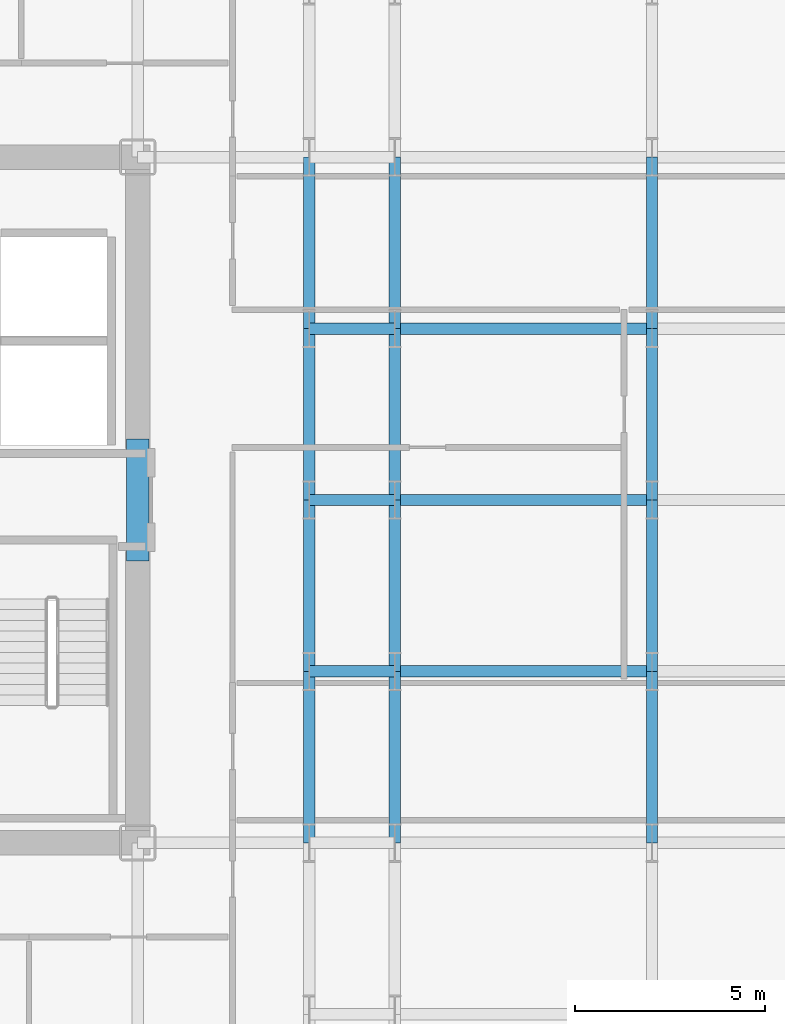
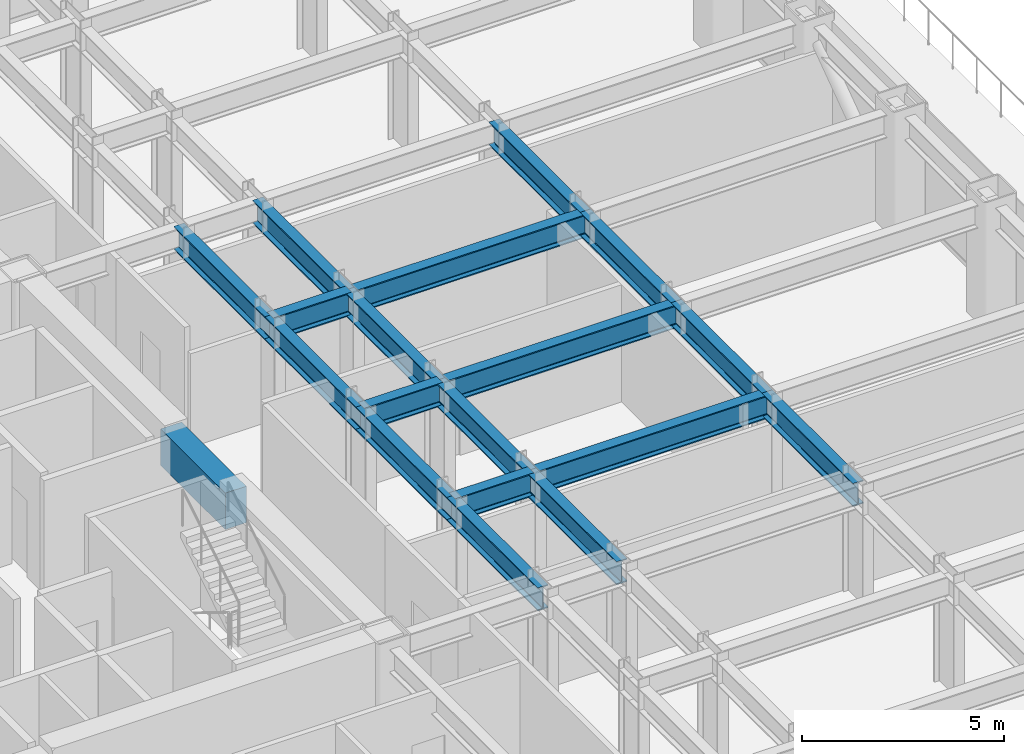
# One storey, part 10 of 30: 19 beams.
"""IFC4 building model written with IfcOpenShell, lengths in metres."""

from ifc_helpers import new_model, si_unit, direction, frame, origin, origin_2d, place, context, subcontext, project, spatial, rectangle, i_section, extrude, source, transform, mapped, material, material_profile, profile_set, type_object, element, save


model = new_model("IFC4")

# Units and contexts
model_context = context("Model", 3, precision=1e-05, world=origin(), true_north=direction((0.0, 1.0)))
body_context = subcontext(model_context, "Body", "Model", "MODEL_VIEW")
ifc_project = project(units=[si_unit("LENGTHUNIT", "METRE"), si_unit("AREAUNIT", "SQUARE_METRE"), si_unit("VOLUMEUNIT", "CUBIC_METRE"), si_unit("PLANEANGLEUNIT", "RADIAN"), si_unit("MASSUNIT", "GRAM", prefix="KILO")], contexts=[model_context])

# Site, building, storey
site_placement = place(None, origin())
site = spatial("IfcSite", under=ifc_project, at=site_placement, CompositionType="ELEMENT")
building_placement = place(site_placement, origin())
building = spatial("IfcBuilding", under=site, at=building_placement, Name="Nefas-Gora Pilgrimage Tower", CompositionType="ELEMENT")
storey_placement = place(building_placement, frame((0.0, 0.0, 33.0)))
storey = spatial("IfcBuildingStorey", under=building, at=storey_placement, Name="L06", CompositionType="ELEMENT", Elevation=33.0)

# Beams
ifc_material_1 = material(Name="Concrete C60/75", Category="concrete")
ifc_material_profile_1 = material_profile(ifc_material_1, rectangle(XDim=0.60009765625, YDim=1.10009765625, at=origin_2d()), Name="RC 600x1100")
ifc_profile_set_1 = profile_set([ifc_material_profile_1], Name="Concrete C60/75")
beam_type_1 = type_object("IfcBeamType", Name="BM-LIN-RC1100", PredefinedType="LINTEL", material=ifc_profile_set_1)
shared_shape_1 = source(origin(), body_context, "Body", "SweptSolid", [
    extrude(rectangle(XDim=0.60009765625, YDim=1.10009765625, at=origin_2d()), origin(), (0.0, 0.0, 1.0), 3.2001953125),
])
beam_placement = place(storey_placement, frame((11.25, -1.60009765625, 3.0), z_axis=(0.0, 1.0, 0.0), x_axis=(-1.0, 0.0, 0.0)))
element("IfcBeam", 1, at=beam_placement, inside=storey, type_object=beam_type_1, Name="L06 Core Coupling Lintel Beam E", PredefinedType="LINTEL", context=body_context, shape_type="MappedRepresentation", body=[
    mapped(shared_shape_1, transform((0.0, 0.0, 0.0), x_axis=(1.0, 0.0, 0.0), y_axis=(0.0, 1.0, 0.0), z_axis=(0.0, 0.0, 1.0), scale=1.0)),
])
ifc_material_2 = material(Name="Steel S355", Category="steel")
ifc_material_profile_2 = material_profile(ifc_material_2, i_section(OverallWidth=0.300048828125, OverallDepth=0.699951171875, WebThickness=0.01708984375, FlangeThickness=0.031982421875, FilletRadius=0.027099609375, at=origin_2d()), Name="HEB 700")
ifc_profile_set_2 = profile_set([ifc_material_profile_2], Name="Steel S355")
beam_type_2 = type_object("IfcBeamType", Name="BM-GIR-HEB700", PredefinedType="BEAM", material=ifc_profile_set_2)
shared_shape_2 = source(origin(), body_context, "Body", "SweptSolid", [
    extrude(i_section(OverallWidth=0.300048828125, OverallDepth=0.699951171875, WebThickness=0.01708984375, FlangeThickness=0.031982421875, FilletRadius=0.027099609375, at=origin_2d()), origin(), (0.0, 0.0, 1.0), 4.5),
])
for number, where, z_axis, x_axis, name in (
    (2, (15.75, -9.0, 3.199951171875), (0.0, 1.0, 0.0), (-1.0, 0.0, 0.0), "L06 G-02 beam"),
    (3, (15.75, -4.5, 3.199951171875), (0.0, 1.0, 0.0), (-1.0, 0.0, 0.0), "L06 G-02 beam"),
    (4, (15.75, 0.0, 3.199951171875), (0.0, 1.0, 0.0), (-1.0, 0.0, 0.0), "L06 G-02 beam"),
    (5, (15.75, 4.5, 3.199951171875), (0.0, 1.0, 0.0), (-1.0, 0.0, 0.0), "L06 G-02 beam"),
    (6, (18.0, -9.0, 3.199951171875), (0.0, 1.0, 0.0), (-1.0, 0.0, 0.0), "L06 G-02 beam"),
    (7, (18.0, -4.5, 3.199951171875), (0.0, 1.0, 0.0), (-1.0, 0.0, 0.0), "L06 G-02 beam"),
    (8, (18.0, 0.0, 3.199951171875), (0.0, 1.0, 0.0), (-1.0, 0.0, 0.0), "L06 G-02 beam"),
    (9, (18.0, 4.5, 3.199951171875), (0.0, 1.0, 0.0), (-1.0, 0.0, 0.0), "L06 G-02 beam"),
    (10, (24.75, -9.0, 3.199951171875), (0.0, 1.0, 0.0), (-1.0, 0.0, 0.0), "L06 G-02 beam"),
    (11, (24.75, -4.5, 3.199951171875), (0.0, 1.0, 0.0), (-1.0, 0.0, 0.0), "L06 G-02 beam"),
    (12, (24.75, 0.0, 3.199951171875), (0.0, 1.0, 0.0), (-1.0, 0.0, 0.0), "L06 G-02 beam"),
    (13, (24.75, 4.5, 3.199951171875), (0.0, 1.0, 0.0), (-1.0, 0.0, 0.0), "L06 G-02 beam"),
):
    element("IfcBeam", number, at=place(storey_placement, frame(where, z_axis=z_axis, x_axis=x_axis)), inside=storey, type_object=beam_type_2, Name=name, PredefinedType="BEAM", context=body_context, shape_type="MappedRepresentation", body=[
        mapped(shared_shape_2, transform((0.0, 0.0, 0.0), x_axis=(1.0, 0.0, 0.0), y_axis=(0.0, 1.0, 0.0), z_axis=(0.0, 0.0, 1.0), scale=1.0)),
    ])
shared_shape_3 = source(origin(), body_context, "Body", "SweptSolid", [
    extrude(i_section(OverallWidth=0.300048828125, OverallDepth=0.699951171875, WebThickness=0.01708984375, FlangeThickness=0.031982421875, FilletRadius=0.027099609375, at=origin_2d()), origin(), (0.0, 0.0, 1.0), 6.75),
])
for number, where, z_axis, x_axis, name in (
    (14, (18.0, -4.5, 3.199951171875), (1.0, 0.0, 0.0), (0.0, 1.0, 0.0), "L06 G-02 beam"),
    (15, (18.0, 0.0, 3.199951171875), (1.0, 0.0, 0.0), (0.0, 1.0, 0.0), "L06 G-02 beam"),
    (16, (18.0, 4.5, 3.199951171875), (1.0, 0.0, 0.0), (0.0, 1.0, 0.0), "L06 G-02 beam"),
):
    element("IfcBeam", number, at=place(storey_placement, frame(where, z_axis=z_axis, x_axis=x_axis)), inside=storey, type_object=beam_type_2, Name=name, PredefinedType="BEAM", context=body_context, shape_type="MappedRepresentation", body=[
        mapped(shared_shape_3, transform((0.0, 0.0, 0.0), x_axis=(1.0, 0.0, 0.0), y_axis=(0.0, 1.0, 0.0), z_axis=(0.0, 0.0, 1.0), scale=1.0)),
    ])
shared_shape_4 = source(origin(), body_context, "Body", "SweptSolid", [
    extrude(i_section(OverallWidth=0.300048828125, OverallDepth=0.699951171875, WebThickness=0.01708984375, FlangeThickness=0.031982421875, FilletRadius=0.027099609375, at=origin_2d()), origin(), (0.0, 0.0, 1.0), 2.25),
])
for number, where, z_axis, x_axis, name in (
    (17, (15.75, -4.5, 3.199951171875), (1.0, 0.0, 0.0), (0.0, 1.0, 0.0), "L06 G-02 beam"),
    (18, (15.75, 0.0, 3.199951171875), (1.0, 0.0, 0.0), (0.0, 1.0, 0.0), "L06 G-02 beam"),
    (19, (15.75, 4.5, 3.199951171875), (1.0, 0.0, 0.0), (0.0, 1.0, 0.0), "L06 G-02 beam"),
):
    element("IfcBeam", number, at=place(storey_placement, frame(where, z_axis=z_axis, x_axis=x_axis)), inside=storey, type_object=beam_type_2, Name=name, PredefinedType="BEAM", context=body_context, shape_type="MappedRepresentation", body=[
        mapped(shared_shape_4, transform((0.0, 0.0, 0.0), x_axis=(1.0, 0.0, 0.0), y_axis=(0.0, 1.0, 0.0), z_axis=(0.0, 0.0, 1.0), scale=1.0)),
    ])

save(model, "model.ifc")
